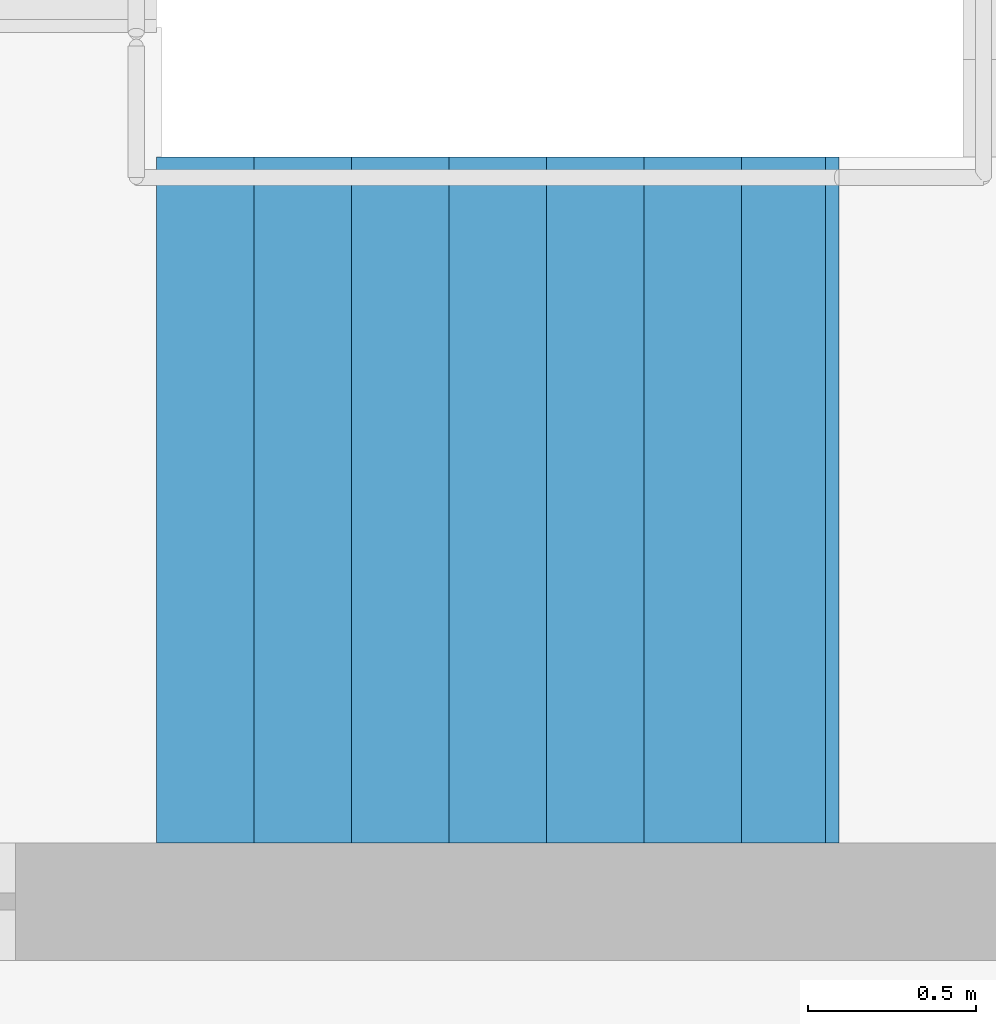
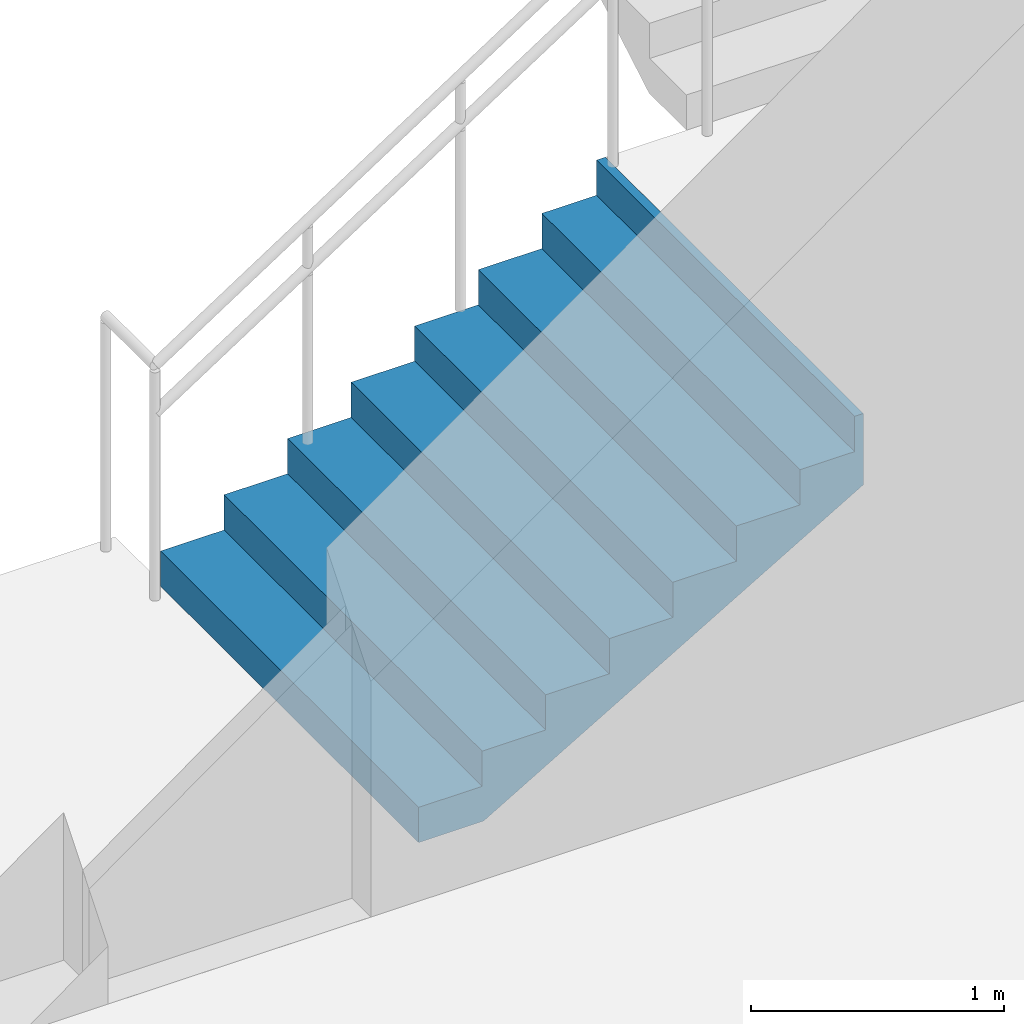
# One storey, part 51 of 74: 1 stair flight, 1 element without a shape of its own.
"""IFC4 building model written with IfcOpenShell, lengths in metres."""

from ifc_helpers import new_model, si_unit, direction, frame, origin, place, context, subcontext, project, spatial, triangles, material, type_object, element, aggregate, save


model = new_model("IFC4")

# Units and contexts
model_context = context("Model", 3, precision=1e-05, world=origin(), true_north=direction((0.0, 1.0)))
body_context = subcontext(model_context, "Body", "Model", "MODEL_VIEW")
ifc_project = project(units=[si_unit("LENGTHUNIT", "METRE"), si_unit("AREAUNIT", "SQUARE_METRE"), si_unit("VOLUMEUNIT", "CUBIC_METRE"), si_unit("PLANEANGLEUNIT", "RADIAN"), si_unit("MASSUNIT", "GRAM", prefix="KILO")], contexts=[model_context])

# Site, building, storey
site_placement = place(None, origin())
site = spatial("IfcSite", under=ifc_project, at=site_placement, CompositionType="ELEMENT")
building_placement = place(site_placement, origin())
building = spatial("IfcBuilding", under=site, at=building_placement, Name="Sillaruma Civic Art Gallery", CompositionType="ELEMENT")
storey_placement = place(building_placement, frame((0.0, 0.0, 5.43994140625)))
storey = spatial("IfcBuildingStorey", under=building, at=storey_placement, Name="L01", CompositionType="ELEMENT", Elevation=5.43994140625)

# Stair, stair flight
ifc_material = material(Name="Concrete H35 (35 MPa)", Category="concrete")
stair_type = type_object("IfcStairType", Name="STR-4F-32", PredefinedType="USERDEFINED", material=ifc_material)
stair_placement = place(storey_placement, origin())
stair = element("IfcStair", 1, at=stair_placement, inside=storey, type_object=stair_type, Name="Protected Exit Stair ST-03 (West Bar South) (L01)", ObjectType="THREE_RETURN_STAIR", PredefinedType="USERDEFINED")
stair_flight_type = type_object("IfcStairFlightType", Name="SFL-STR-8", PredefinedType="STRAIGHT", material=ifc_material)
stair_flight_placement = place(storey_placement, frame((64.800048828125, 32.429931640625, 0.0), z_axis=(0.0, 0.0, 1.0), x_axis=(1.0, 0.0, 0.0)))
stair_flight = element("IfcStairFlight", 2, at=stair_flight_placement, type_object=stair_flight_type, Name="ST-03 flight 1", NumberOfRisers=8, NumberOfTreads=7, PredefinedType="STRAIGHT", RiserHeight=0.17, TreadLength=0.29, context=body_context, shape_type="Tessellation", body=[
    triangles([(0.0, -1.02001953125, 0.0), (0.29, -1.02001953125, 0.0), (0.296443, -1.02001953125, 0.0), (0.58, -1.02001953125, 0.166223), (0.87, -1.02001953125, 0.336223), (1.16, -1.02001953125, 0.506223), (1.45, -1.02001953125, 0.676223), (1.74, -1.02001953125, 0.846223), (1.990029, -1.02001953125, 0.992792), (2.030029, -1.02001953125, 1.01624), (2.030029, -1.02001953125, 1.36), (1.990029, -1.02001953125, 1.36), (1.990029, -1.02001953125, 1.19), (1.74, -1.02001953125, 1.19), (1.74, -1.02001953125, 1.02), (1.45, -1.02001953125, 1.02), (1.45, -1.02001953125, 0.85), (1.16, -1.02001953125, 0.85), (1.16, -1.02001953125, 0.68), (0.87, -1.02001953125, 0.68), (0.87, -1.02001953125, 0.51), (0.58, -1.02001953125, 0.51), (0.58, -1.02001953125, 0.34), (0.296443, -1.02001953125, 0.34), (0.29, -1.02001953125, 0.34), (0.29, -1.02001953125, 0.17), (0.0, -1.02001953125, 0.17), (0.0, -0.05, 0.0), (0.29, -0.05, 0.0), (0.296443, -0.05, 0.0), (0.58, -0.05, 0.166223), (0.87, -0.05, 0.336223), (1.16, -0.05, 0.506223), (1.45, -0.05, 0.676223), (1.74, -0.05, 0.846223), (1.990029, -0.05, 0.992792), (2.030029, -0.05, 1.01624), (2.030029, -0.05, 1.36), (1.990029, -0.05, 1.36), (1.990029, -0.05, 1.19), (1.74, -0.05, 1.19), (1.74, -0.05, 1.02), (1.45, -0.05, 1.02), (1.45, -0.05, 0.85), (1.16, -0.05, 0.85), (1.16, -0.05, 0.68), (0.87, -0.05, 0.68), (0.87, -0.05, 0.51), (0.58, -0.05, 0.51), (0.58, -0.05, 0.34), (0.296443, -0.05, 0.34), (0.29, -0.05, 0.34), (0.29, -0.05, 0.17), (0.0, -0.05, 0.17), (0.0, -0.0375, 0.0), (0.29, -0.0375, 0.0), (0.296443, -0.0375, 0.0), (0.58, -0.0375, 0.166223), (0.87, -0.0375, 0.336223), (1.16, -0.0375, 0.506223), (1.45, -0.0375, 0.676223), (1.74, -0.0375, 0.846223), (1.990029, -0.0375, 0.992792), (2.030029, -0.0375, 1.01624), (2.030029, -0.0375, 1.36), (1.990029, -0.0375, 1.36), (1.990029, -0.0375, 1.19), (1.74, -0.0375, 1.19), (1.74, -0.0375, 1.02), (1.45, -0.0375, 1.02), (1.45, -0.0375, 0.85), (1.16, -0.0375, 0.85), (1.16, -0.0375, 0.68), (0.87, -0.0375, 0.68), (0.87, -0.0375, 0.51), (0.58, -0.0375, 0.51), (0.58, -0.0375, 0.34), (0.296443, -0.0375, 0.34), (0.29, -0.0375, 0.34), (0.29, -0.0375, 0.17), (0.0, -0.0375, 0.17), (0.0, -0.025, 0.0), (0.29, -0.025, 0.0), (0.296443, -0.025, 0.0), (0.58, -0.025, 0.166223), (0.87, -0.025, 0.336223), (1.16, -0.025, 0.506223), (1.45, -0.025, 0.676223), (1.74, -0.025, 0.846223), (1.990029, -0.025, 0.992792), (2.030029, -0.025, 1.01624), (2.030029, -0.025, 1.36), (1.990029, -0.025, 1.36), (1.990029, -0.025, 1.19), (1.74, -0.025, 1.19), (1.74, -0.025, 1.02), (1.45, -0.025, 1.02), (1.45, -0.025, 0.85), (1.16, -0.025, 0.85), (1.16, -0.025, 0.68), (0.87, -0.025, 0.68), (0.87, -0.025, 0.51), (0.58, -0.025, 0.51), (0.58, -0.025, 0.34), (0.296443, -0.025, 0.34), (0.29, -0.025, 0.34), (0.29, -0.025, 0.17), (0.0, -0.025, 0.17), (0.0, -0.0125, 0.0), (0.29, -0.0125, 0.0), (0.296443, -0.0125, 0.0), (0.58, -0.0125, 0.166223), (0.87, -0.0125, 0.336223), (1.16, -0.0125, 0.506223), (1.45, -0.0125, 0.676223), (1.74, -0.0125, 0.846223), (1.990029, -0.0125, 0.992792), (2.030029, -0.0125, 1.01624), (2.030029, -0.0125, 1.36), (1.990029, -0.0125, 1.36), (1.990029, -0.0125, 1.19), (1.74, -0.0125, 1.19), (1.74, -0.0125, 1.02), (1.45, -0.0125, 1.02), (1.45, -0.0125, 0.85), (1.16, -0.0125, 0.85), (1.16, -0.0125, 0.68), (0.87, -0.0125, 0.68), (0.87, -0.0125, 0.51), (0.58, -0.0125, 0.51), (0.58, -0.0125, 0.34), (0.296443, -0.0125, 0.34), (0.29, -0.0125, 0.34), (0.29, -0.0125, 0.17), (0.0, -0.0125, 0.17), (0.0, 0.0, 0.0), (0.29, 0.0, 0.0), (0.296443, 0.0, 0.0), (0.58, 0.0, 0.166223), (0.87, 0.0, 0.336223), (1.16, 0.0, 0.506223), (1.45, 0.0, 0.676223), (1.74, 0.0, 0.846223), (1.990029, 0.0, 0.992792), (2.030029, 0.0, 1.01624), (2.030029, 0.0, 1.36), (1.990029, 0.0, 1.36), (1.990029, 0.0, 1.19), (1.74, 0.0, 1.19), (1.74, 0.0, 1.02), (1.45, 0.0, 1.02), (1.45, 0.0, 0.85), (1.16, 0.0, 0.85), (1.16, 0.0, 0.68), (0.87, 0.0, 0.68), (0.87, 0.0, 0.51), (0.58, 0.0, 0.51), (0.58, 0.0, 0.34), (0.296443, 0.0, 0.34), (0.29, 0.0, 0.34), (0.29, 0.0, 0.17), (0.0, 0.0, 0.17), (0.0, 0.0125, 0.0), (0.29, 0.0125, 0.0), (0.296443, 0.0125, 0.0), (0.58, 0.0125, 0.166223), (0.87, 0.0125, 0.336223), (1.16, 0.0125, 0.506223), (1.45, 0.0125, 0.676223), (1.74, 0.0125, 0.846223), (1.990029, 0.0125, 0.992792), (2.030029, 0.0125, 1.01624), (2.030029, 0.0125, 1.36), (1.990029, 0.0125, 1.36), (1.990029, 0.0125, 1.19), (1.74, 0.0125, 1.19), (1.74, 0.0125, 1.02), (1.45, 0.0125, 1.02), (1.45, 0.0125, 0.85), (1.16, 0.0125, 0.85), (1.16, 0.0125, 0.68), (0.87, 0.0125, 0.68), (0.87, 0.0125, 0.51), (0.58, 0.0125, 0.51), (0.58, 0.0125, 0.34), (0.296443, 0.0125, 0.34), (0.29, 0.0125, 0.34), (0.29, 0.0125, 0.17), (0.0, 0.0125, 0.17), (0.0, 0.025, 0.0), (0.29, 0.025, 0.0), (0.296443, 0.025, 0.0), (0.58, 0.025, 0.166223), (0.87, 0.025, 0.336223), (1.16, 0.025, 0.506223), (1.45, 0.025, 0.676223), (1.74, 0.025, 0.846223), (1.990029, 0.025, 0.992792), (2.030029, 0.025, 1.01624), (2.030029, 0.025, 1.36), (1.990029, 0.025, 1.36), (1.990029, 0.025, 1.19), (1.74, 0.025, 1.19), (1.74, 0.025, 1.02), (1.45, 0.025, 1.02), (1.45, 0.025, 0.85), (1.16, 0.025, 0.85), (1.16, 0.025, 0.68), (0.87, 0.025, 0.68), (0.87, 0.025, 0.51), (0.58, 0.025, 0.51), (0.58, 0.025, 0.34), (0.296443, 0.025, 0.34), (0.29, 0.025, 0.34), (0.29, 0.025, 0.17), (0.0, 0.025, 0.17), (0.0, 0.0375, 0.0), (0.29, 0.0375, 0.0), (0.296443, 0.0375, 0.0), (0.58, 0.0375, 0.166223), (0.87, 0.0375, 0.336223), (1.16, 0.0375, 0.506223), (1.45, 0.0375, 0.676223), (1.74, 0.0375, 0.846223), (1.990029, 0.0375, 0.992792), (2.030029, 0.0375, 1.01624), (2.030029, 0.0375, 1.36), (1.990029, 0.0375, 1.36), (1.990029, 0.0375, 1.19), (1.74, 0.0375, 1.19), (1.74, 0.0375, 1.02), (1.45, 0.0375, 1.02), (1.45, 0.0375, 0.85), (1.16, 0.0375, 0.85), (1.16, 0.0375, 0.68), (0.87, 0.0375, 0.68), (0.87, 0.0375, 0.51), (0.58, 0.0375, 0.51), (0.58, 0.0375, 0.34), (0.296443, 0.0375, 0.34), (0.29, 0.0375, 0.34), (0.29, 0.0375, 0.17), (0.0, 0.0375, 0.17), (0.0, 0.05, 0.0), (0.29, 0.05, 0.0), (0.296443, 0.05, 0.0), (0.58, 0.05, 0.166223), (0.87, 0.05, 0.336223), (1.16, 0.05, 0.506223), (1.45, 0.05, 0.676223), (1.74, 0.05, 0.846223), (1.990029, 0.05, 0.992792), (2.030029, 0.05, 1.01624), (2.030029, 0.05, 1.36), (1.990029, 0.05, 1.36), (1.990029, 0.05, 1.19), (1.74, 0.05, 1.19), (1.74, 0.05, 1.02), (1.45, 0.05, 1.02), (1.45, 0.05, 0.85), (1.16, 0.05, 0.85), (1.16, 0.05, 0.68), (0.87, 0.05, 0.68), (0.87, 0.05, 0.51), (0.58, 0.05, 0.51), (0.58, 0.05, 0.34), (0.296443, 0.05, 0.34), (0.29, 0.05, 0.34), (0.29, 0.05, 0.17), (0.0, 0.05, 0.17), (0.0, 1.02001953125, 0.0), (0.29, 1.02001953125, 0.0), (0.296443, 1.02001953125, 0.0), (0.58, 1.02001953125, 0.166223), (0.87, 1.02001953125, 0.336223), (1.16, 1.02001953125, 0.506223), (1.45, 1.02001953125, 0.676223), (1.74, 1.02001953125, 0.846223), (1.990029, 1.02001953125, 0.992792), (2.030029, 1.02001953125, 1.01624), (2.030029, 1.02001953125, 1.36), (1.990029, 1.02001953125, 1.36), (1.990029, 1.02001953125, 1.19), (1.74, 1.02001953125, 1.19), (1.74, 1.02001953125, 1.02), (1.45, 1.02001953125, 1.02), (1.45, 1.02001953125, 0.85), (1.16, 1.02001953125, 0.85), (1.16, 1.02001953125, 0.68), (0.87, 1.02001953125, 0.68), (0.87, 1.02001953125, 0.51), (0.58, 1.02001953125, 0.51), (0.58, 1.02001953125, 0.34), (0.296443, 1.02001953125, 0.34), (0.29, 1.02001953125, 0.34), (0.29, 1.02001953125, 0.17), (0.0, 1.02001953125, 0.17)], [[1, 2, 26], [1, 26, 27], [2, 3, 24], [2, 24, 26], [26, 24, 25], [3, 4, 23], [3, 23, 24], [4, 5, 21], [4, 21, 23], [23, 21, 22], [5, 6, 19], [5, 19, 21], [21, 19, 20], [6, 7, 17], [6, 17, 19], [19, 17, 18], [7, 8, 15], [7, 15, 17], [17, 15, 16], [8, 9, 13], [8, 13, 15], [15, 13, 14], [9, 10, 11], [9, 11, 13], [13, 11, 12], [296, 272, 271], [297, 296, 271], [294, 273, 272], [296, 294, 272], [295, 294, 296], [293, 274, 273], [294, 293, 273], [291, 275, 274], [293, 291, 274], [292, 291, 293], [289, 276, 275], [291, 289, 275], [290, 289, 291], [287, 277, 276], [289, 287, 276], [288, 287, 289], [285, 278, 277], [287, 285, 277], [286, 285, 287], [283, 279, 278], [285, 283, 278], [284, 283, 285], [281, 280, 279], [283, 281, 279], [282, 281, 283], [2, 1, 28], [2, 28, 29], [3, 2, 29], [3, 29, 30], [4, 3, 30], [4, 30, 31], [5, 4, 31], [5, 31, 32], [6, 5, 32], [6, 32, 33], [7, 6, 33], [7, 33, 34], [8, 7, 34], [8, 34, 35], [9, 8, 35], [9, 35, 36], [10, 9, 36], [10, 36, 37], [11, 10, 37], [11, 37, 38], [12, 11, 38], [12, 38, 39], [13, 12, 39], [13, 39, 40], [14, 13, 40], [14, 40, 41], [15, 14, 41], [15, 41, 42], [16, 15, 42], [16, 42, 43], [17, 16, 43], [17, 43, 44], [18, 17, 44], [18, 44, 45], [19, 18, 45], [19, 45, 46], [20, 19, 46], [20, 46, 47], [21, 20, 47], [21, 47, 48], [22, 21, 48], [22, 48, 49], [23, 22, 49], [23, 49, 50], [24, 23, 50], [24, 50, 51], [25, 24, 51], [25, 51, 52], [26, 25, 52], [26, 52, 53], [27, 26, 53], [27, 53, 54], [1, 27, 54], [1, 54, 28], [29, 28, 55], [29, 55, 56], [30, 29, 56], [30, 56, 57], [31, 30, 57], [31, 57, 58], [32, 31, 58], [32, 58, 59], [33, 32, 59], [33, 59, 60], [34, 33, 60], [34, 60, 61], [35, 34, 61], [35, 61, 62], [36, 35, 62], [36, 62, 63], [37, 36, 63], [37, 63, 64], [38, 37, 64], [38, 64, 65], [39, 38, 65], [39, 65, 66], [40, 39, 66], [40, 66, 67], [41, 40, 67], [41, 67, 68], [42, 41, 68], [42, 68, 69], [43, 42, 69], [43, 69, 70], [44, 43, 70], [44, 70, 71], [45, 44, 71], [45, 71, 72], [46, 45, 72], [46, 72, 73], [47, 46, 73], [47, 73, 74], [48, 47, 74], [48, 74, 75], [49, 48, 75], [49, 75, 76], [50, 49, 76], [50, 76, 77], [51, 50, 77], [51, 77, 78], [52, 51, 78], [52, 78, 79], [53, 52, 79], [53, 79, 80], [54, 53, 80], [54, 80, 81], [28, 54, 81], [28, 81, 55], [56, 55, 82], [56, 82, 83], [57, 56, 83], [57, 83, 84], [58, 57, 84], [58, 84, 85], [59, 58, 85], [59, 85, 86], [60, 59, 86], [60, 86, 87], [61, 60, 87], [61, 87, 88], [62, 61, 88], [62, 88, 89], [63, 62, 89], [63, 89, 90], [64, 63, 90], [64, 90, 91], [65, 64, 91], [65, 91, 92], [66, 65, 92], [66, 92, 93], [67, 66, 93], [67, 93, 94], [68, 67, 94], [68, 94, 95], [69, 68, 95], [69, 95, 96], [70, 69, 96], [70, 96, 97], [71, 70, 97], [71, 97, 98], [72, 71, 98], [72, 98, 99], [73, 72, 99], [73, 99, 100], [74, 73, 100], [74, 100, 101], [75, 74, 101], [75, 101, 102], [76, 75, 102], [76, 102, 103], [77, 76, 103], [77, 103, 104], [78, 77, 104], [78, 104, 105], [79, 78, 105], [79, 105, 106], [80, 79, 106], [80, 106, 107], [81, 80, 107], [81, 107, 108], [55, 81, 108], [55, 108, 82], [83, 82, 109], [83, 109, 110], [84, 83, 110], [84, 110, 111], [85, 84, 111], [85, 111, 112], [86, 85, 112], [86, 112, 113], [87, 86, 113], [87, 113, 114], [88, 87, 114], [88, 114, 115], [89, 88, 115], [89, 115, 116], [90, 89, 116], [90, 116, 117], [91, 90, 117], [91, 117, 118], [92, 91, 118], [92, 118, 119], [93, 92, 119], [93, 119, 120], [94, 93, 120], [94, 120, 121], [95, 94, 121], [95, 121, 122], [96, 95, 122], [96, 122, 123], [97, 96, 123], [97, 123, 124], [98, 97, 124], [98, 124, 125], [99, 98, 125], [99, 125, 126], [100, 99, 126], [100, 126, 127], [101, 100, 127], [101, 127, 128], [102, 101, 128], [102, 128, 129], [103, 102, 129], [103, 129, 130], [104, 103, 130], [104, 130, 131], [105, 104, 131], [105, 131, 132], [106, 105, 132], [106, 132, 133], [107, 106, 133], [107, 133, 134], [108, 107, 134], [108, 134, 135], [82, 108, 135], [82, 135, 109], [110, 109, 136], [110, 136, 137], [111, 110, 137], [111, 137, 138], [112, 111, 138], [112, 138, 139], [113, 112, 139], [113, 139, 140], [114, 113, 140], [114, 140, 141], [115, 114, 141], [115, 141, 142], [116, 115, 142], [116, 142, 143], [117, 116, 143], [117, 143, 144], [118, 117, 144], [118, 144, 145], [119, 118, 145], [119, 145, 146], [120, 119, 146], [120, 146, 147], [121, 120, 147], [121, 147, 148], [122, 121, 148], [122, 148, 149], [123, 122, 149], [123, 149, 150], [124, 123, 150], [124, 150, 151], [125, 124, 151], [125, 151, 152], [126, 125, 152], [126, 152, 153], [127, 126, 153], [127, 153, 154], [128, 127, 154], [128, 154, 155], [129, 128, 155], [129, 155, 156], [130, 129, 156], [130, 156, 157], [131, 130, 157], [131, 157, 158], [132, 131, 158], [132, 158, 159], [133, 132, 159], [133, 159, 160], [134, 133, 160], [134, 160, 161], [135, 134, 161], [135, 161, 162], [109, 135, 162], [109, 162, 136], [137, 136, 163], [137, 163, 164], [138, 137, 164], [138, 164, 165], [139, 138, 165], [139, 165, 166], [140, 139, 166], [140, 166, 167], [141, 140, 167], [141, 167, 168], [142, 141, 168], [142, 168, 169], [143, 142, 169], [143, 169, 170], [144, 143, 170], [144, 170, 171], [145, 144, 171], [145, 171, 172], [146, 145, 172], [146, 172, 173], [147, 146, 173], [147, 173, 174], [148, 147, 174], [148, 174, 175], [149, 148, 175], [149, 175, 176], [150, 149, 176], [150, 176, 177], [151, 150, 177], [151, 177, 178], [152, 151, 178], [152, 178, 179], [153, 152, 179], [153, 179, 180], [154, 153, 180], [154, 180, 181], [155, 154, 181], [155, 181, 182], [156, 155, 182], [156, 182, 183], [157, 156, 183], [157, 183, 184], [158, 157, 184], [158, 184, 185], [159, 158, 185], [159, 185, 186], [160, 159, 186], [160, 186, 187], [161, 160, 187], [161, 187, 188], [162, 161, 188], [162, 188, 189], [136, 162, 189], [136, 189, 163], [164, 163, 190], [164, 190, 191], [165, 164, 191], [165, 191, 192], [166, 165, 192], [166, 192, 193], [167, 166, 193], [167, 193, 194], [168, 167, 194], [168, 194, 195], [169, 168, 195], [169, 195, 196], [170, 169, 196], [170, 196, 197], [171, 170, 197], [171, 197, 198], [172, 171, 198], [172, 198, 199], [173, 172, 199], [173, 199, 200], [174, 173, 200], [174, 200, 201], [175, 174, 201], [175, 201, 202], [176, 175, 202], [176, 202, 203], [177, 176, 203], [177, 203, 204], [178, 177, 204], [178, 204, 205], [179, 178, 205], [179, 205, 206], [180, 179, 206], [180, 206, 207], [181, 180, 207], [181, 207, 208], [182, 181, 208], [182, 208, 209], [183, 182, 209], [183, 209, 210], [184, 183, 210], [184, 210, 211], [185, 184, 211], [185, 211, 212], [186, 185, 212], [186, 212, 213], [187, 186, 213], [187, 213, 214], [188, 187, 214], [188, 214, 215], [189, 188, 215], [189, 215, 216], [163, 189, 216], [163, 216, 190], [191, 190, 217], [191, 217, 218], [192, 191, 218], [192, 218, 219], [193, 192, 219], [193, 219, 220], [194, 193, 220], [194, 220, 221], [195, 194, 221], [195, 221, 222], [196, 195, 222], [196, 222, 223], [197, 196, 223], [197, 223, 224], [198, 197, 224], [198, 224, 225], [199, 198, 225], [199, 225, 226], [200, 199, 226], [200, 226, 227], [201, 200, 227], [201, 227, 228], [202, 201, 228], [202, 228, 229], [203, 202, 229], [203, 229, 230], [204, 203, 230], [204, 230, 231], [205, 204, 231], [205, 231, 232], [206, 205, 232], [206, 232, 233], [207, 206, 233], [207, 233, 234], [208, 207, 234], [208, 234, 235], [209, 208, 235], [209, 235, 236], [210, 209, 236], [210, 236, 237], [211, 210, 237], [211, 237, 238], [212, 211, 238], [212, 238, 239], [213, 212, 239], [213, 239, 240], [214, 213, 240], [214, 240, 241], [215, 214, 241], [215, 241, 242], [216, 215, 242], [216, 242, 243], [190, 216, 243], [190, 243, 217], [218, 217, 244], [218, 244, 245], [219, 218, 245], [219, 245, 246], [220, 219, 246], [220, 246, 247], [221, 220, 247], [221, 247, 248], [222, 221, 248], [222, 248, 249], [223, 222, 249], [223, 249, 250], [224, 223, 250], [224, 250, 251], [225, 224, 251], [225, 251, 252], [226, 225, 252], [226, 252, 253], [227, 226, 253], [227, 253, 254], [228, 227, 254], [228, 254, 255], [229, 228, 255], [229, 255, 256], [230, 229, 256], [230, 256, 257], [231, 230, 257], [231, 257, 258], [232, 231, 258], [232, 258, 259], [233, 232, 259], [233, 259, 260], [234, 233, 260], [234, 260, 261], [235, 234, 261], [235, 261, 262], [236, 235, 262], [236, 262, 263], [237, 236, 263], [237, 263, 264], [238, 237, 264], [238, 264, 265], [239, 238, 265], [239, 265, 266], [240, 239, 266], [240, 266, 267], [241, 240, 267], [241, 267, 268], [242, 241, 268], [242, 268, 269], [243, 242, 269], [243, 269, 270], [217, 243, 270], [217, 270, 244], [245, 244, 271], [245, 271, 272], [246, 245, 272], [246, 272, 273], [247, 246, 273], [247, 273, 274], [248, 247, 274], [248, 274, 275], [249, 248, 275], [249, 275, 276], [250, 249, 276], [250, 276, 277], [251, 250, 277], [251, 277, 278], [252, 251, 278], [252, 278, 279], [253, 252, 279], [253, 279, 280], [254, 253, 280], [254, 280, 281], [255, 254, 281], [255, 281, 282], [256, 255, 282], [256, 282, 283], [257, 256, 283], [257, 283, 284], [258, 257, 284], [258, 284, 285], [259, 258, 285], [259, 285, 286], [260, 259, 286], [260, 286, 287], [261, 260, 287], [261, 287, 288], [262, 261, 288], [262, 288, 289], [263, 262, 289], [263, 289, 290], [264, 263, 290], [264, 290, 291], [265, 264, 291], [265, 291, 292], [266, 265, 292], [266, 292, 293], [267, 266, 293], [267, 293, 294], [268, 267, 294], [268, 294, 295], [269, 268, 295], [269, 295, 296], [270, 269, 296], [270, 296, 297], [244, 270, 297], [244, 297, 271]], closed=True),
])
aggregate(stair, [stair_flight])

save(model, "model.ifc")
